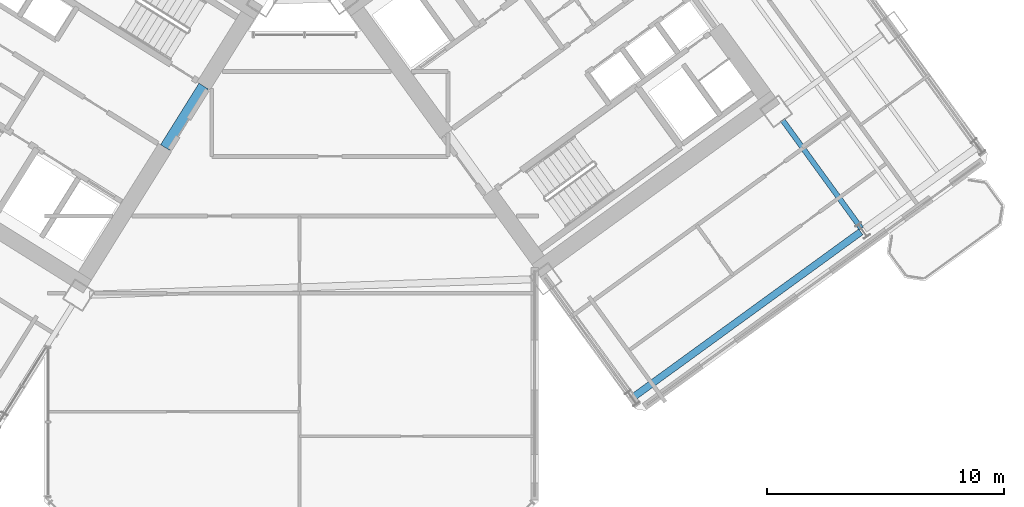
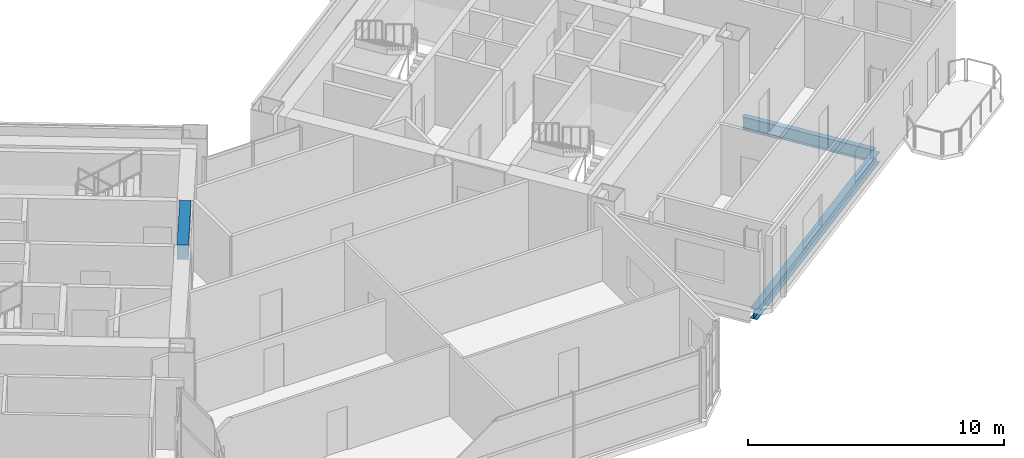
# One storey, part 10 of 28: 3 beams.
"""IFC4 building model written with IfcOpenShell, lengths in metres."""

from ifc_helpers import new_model, si_unit, direction, frame, origin, origin_2d, place, context, subcontext, project, spatial, rectangle, i_section, extrude, source, transform, mapped, material, material_profile, profile_set, type_object, element, save


model = new_model("IFC4")

# Units and contexts
model_context = context("Model", 3, precision=1e-05, world=origin(), true_north=direction((0.0, 1.0)))
body_context = subcontext(model_context, "Body", "Model", "MODEL_VIEW")
ifc_project = project(units=[si_unit("LENGTHUNIT", "METRE"), si_unit("AREAUNIT", "SQUARE_METRE"), si_unit("VOLUMEUNIT", "CUBIC_METRE"), si_unit("PLANEANGLEUNIT", "RADIAN"), si_unit("MASSUNIT", "GRAM", prefix="KILO")], contexts=[model_context])

# Site, building, storey
site_placement = place(None, origin())
site = spatial("IfcSite", under=ifc_project, at=site_placement, CompositionType="ELEMENT")
building_placement = place(site_placement, origin())
building = spatial("IfcBuilding", under=site, at=building_placement, Name="Tlacorven Tower", CompositionType="ELEMENT")
storey_placement = place(building_placement, frame((0.0, 0.0, 63.60009765625)))
storey = spatial("IfcBuildingStorey", under=building, at=storey_placement, Name="L16", CompositionType="ELEMENT", Elevation=63.60009765625)

# Beams
ifc_material_1 = material(Name="Concrete C60/75", Category="concrete")
ifc_material_profile_1 = material_profile(ifc_material_1, rectangle(XDim=0.449951171875, YDim=0.699951171875, at=origin_2d()), Name="RC 450X700")
ifc_profile_set_1 = profile_set([ifc_material_profile_1], Name="Concrete C60/75")
beam_type_1 = type_object("IfcBeamType", Name="BM-LNT-700", PredefinedType="LINTEL", material=ifc_profile_set_1)
shared_shape_1 = source(origin(), body_context, "Body", "SweptSolid", [
    extrude(rectangle(XDim=0.449951171875, YDim=0.699951171875, at=origin_2d()), origin(), (0.0, 0.0, 1.0), 3.050048828125),
])
beam_1_placement = place(storey_placement, frame((38.2998046875, 20.890625, 3.0), z_axis=(-0.529984549635, -0.848007297815, 0.0), x_axis=(0.848007297815, -0.529984549635, 0.0)))
element("IfcBeam", 1, at=beam_1_placement, inside=storey, type_object=beam_type_1, Name="L16 W core coupling lintel beam E1", PredefinedType="LINTEL", context=body_context, shape_type="MappedRepresentation", body=[
    mapped(shared_shape_1, transform((0.0, 0.0, 0.0), scale=1.0)),
])
ifc_material_2 = material(Name="Steel S355J2", Category="steel")
ifc_material_profile_2 = material_profile(ifc_material_2, i_section(OverallWidth=0.219970703125, OverallDepth=0.60009765625, WebThickness=0.011962890625, FlangeThickness=0.01904296875, at=origin_2d()), Name="IPE 600")
ifc_profile_set_2 = profile_set([ifc_material_profile_2], Name="Steel S355J2")
beam_type_2 = type_object("IfcBeamType", Name="BM-TWR-600", PredefinedType="BEAM", material=ifc_profile_set_2)
shared_shape_2 = source(origin(), body_context, "Body", "SweptSolid", [
    extrude(i_section(OverallWidth=0.219970703125, OverallDepth=0.60009765625, WebThickness=0.011962890625, FlangeThickness=0.01904296875, at=origin_2d()), origin(), (0.0, 0.0, 1.0), 5.64990234375),
])
beam_2_placement = place(storey_placement, frame((65.9990234375, 14.891845703125, -0.550048828125), z_axis=(-0.587755393186, 0.809038687444, 0.0), x_axis=(-0.809038687444, -0.587755393186, 0.0)))
element("IfcBeam", 2, at=beam_2_placement, inside=storey, type_object=beam_type_2, Name="L16 beam BM-L16-ET3-1", PredefinedType="BEAM", context=body_context, shape_type="MappedRepresentation", body=[
    mapped(shared_shape_2, transform((0.0, 0.0, 0.0), scale=1.0)),
])
ifc_material_profile_3 = material_profile(ifc_material_2, i_section(OverallWidth=0.300048828125, OverallDepth=0.489990234375, WebThickness=0.011962890625, FlangeThickness=0.02294921875, at=origin_2d()), Name="HEA 500")
ifc_profile_set_3 = profile_set([ifc_material_profile_3], Name="Steel S355J2")
beam_type_3 = type_object("IfcBeamType", Name="BM-SPN-500", PredefinedType="SPANDREL", material=ifc_profile_set_3)
shared_shape_3 = source(origin(), body_context, "Body", "SweptSolid", [
    extrude(i_section(OverallWidth=0.300048828125, OverallDepth=0.489990234375, WebThickness=0.011962890625, FlangeThickness=0.02294921875, at=origin_2d()), origin(), (0.0, 0.0, 1.0), 11.800048828125),
])
beam_3_placement = place(storey_placement, frame((56.4306640625, 7.816162109375, -0.4951171875), z_axis=(0.80900977213, 0.587795192732, 0.0), x_axis=(-0.587795192732, 0.80900977213, 0.0)))
element("IfcBeam", 3, at=beam_3_placement, inside=storey, type_object=beam_type_3, Name="L16 beam BM-L16-EL1-1", PredefinedType="SPANDREL", context=body_context, shape_type="MappedRepresentation", body=[
    mapped(shared_shape_3, transform((0.0, 0.0, 0.0), scale=1.0)),
])

save(model, "model.ifc")
